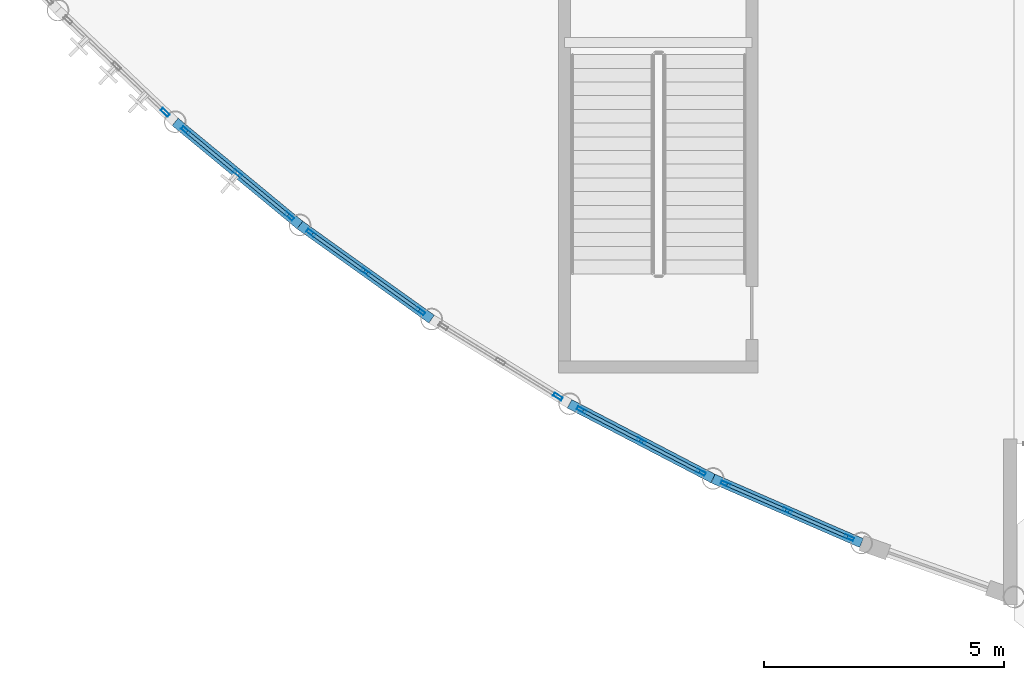
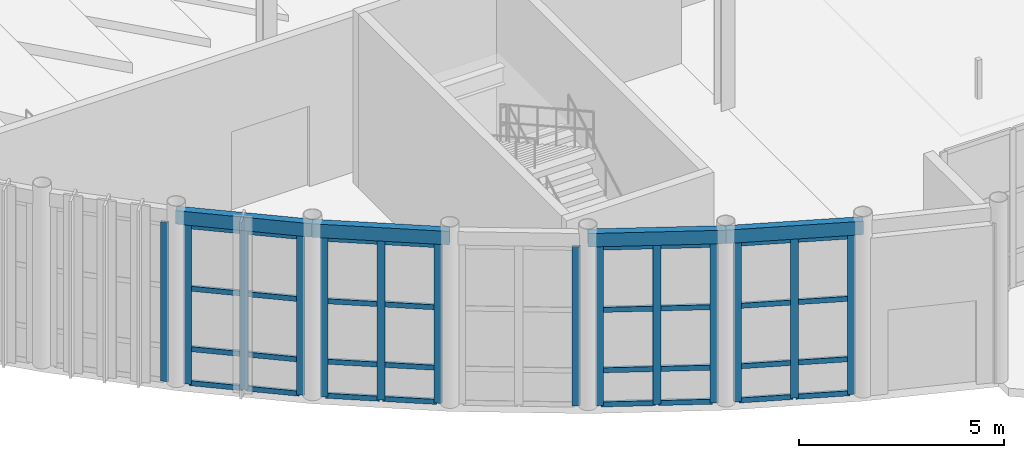
# One storey, part 20 of 87: 46 members, 4 beams, 6 elements without a shape of their own.
"""IFC4 building model written with IfcOpenShell, lengths in metres."""

from ifc_helpers import new_model, si_unit, direction, frame, origin, origin_2d, place, context, subcontext, project, spatial, hollow_rectangle, extrude, material, layer, layer_set, material_profile, profile_set, type_object, element, aggregate, save


model = new_model("IFC4")

# Units and contexts
model_context = context("Model", 3, precision=1e-05, world=origin(), true_north=direction((0.0, 1.0)))
body_context = subcontext(model_context, "Body", "Model", "MODEL_VIEW")
ifc_project = project(units=[si_unit("LENGTHUNIT", "METRE"), si_unit("AREAUNIT", "SQUARE_METRE"), si_unit("VOLUMEUNIT", "CUBIC_METRE"), si_unit("PLANEANGLEUNIT", "RADIAN"), si_unit("MASSUNIT", "GRAM", prefix="KILO")], contexts=[model_context])

# Site, building, storey
site_placement = place(None, origin())
site = spatial("IfcSite", under=ifc_project, at=site_placement, CompositionType="ELEMENT")
building_placement = place(site_placement, origin())
building = spatial("IfcBuilding", under=site, at=building_placement, Name="Selat Folded Stagehouse", CompositionType="ELEMENT")
storey_placement = place(building_placement, origin())
storey = spatial("IfcBuildingStorey", under=building, at=storey_placement, Name="L00", CompositionType="ELEMENT", Elevation=0.0)

# Curtain wall, member
ifc_material_1 = material(Name="Aluminium 6063-T6", Category="aluminium")
ifc_layer = layer(ifc_material_1, 0.219970703125)
ifc_layer_set = layer_set([ifc_layer], Name="Aluminium 6063-T6")
curtain_wall_type = type_object("IfcCurtainWallType", Name="CW-DRM-HIGH", PredefinedType="NOTDEFINED", material=ifc_layer_set)
curtain_wall_1_placement = place(storey_placement, origin())
curtain_wall_1 = element("IfcCurtainWall", 1, at=curtain_wall_1_placement, inside=storey, type_object=curtain_wall_type, Name="L00 curtain wall CW-DRM-L00-13", PredefinedType="NOTDEFINED")
ifc_material_profile_1 = material_profile(ifc_material_1, hollow_rectangle(XDim=0.070068359375, YDim=0.199951171875, WallThickness=0.0048828125, at=origin_2d()), Name="ALU 200x70x5.0")
ifc_profile_set_1 = profile_set([ifc_material_profile_1], Name="Aluminium 6063-T6")
member_type_1 = type_object("IfcMemberType", Name="CWM-MUL-200x70", PredefinedType="MULLION", material=ifc_profile_set_1)
member_1_placement = place(storey_placement, frame((15.9306640625, 12.29736328125, 0.0), z_axis=(0.0, 0.0, 1.0), x_axis=(-0.689661264636, -0.724132128869, 0.0)))
member_1 = element("IfcMember", 2, at=member_1_placement, type_object=member_type_1, Name="CW-01 mullion 1", PredefinedType="MULLION", context=body_context, shape_type="SweptSolid", body=[
    extrude(hollow_rectangle(XDim=0.070068359375, YDim=0.199951171875, WallThickness=0.0048828125, at=origin_2d()), origin(), (0.0, 0.0, 1.0), 4.739990234375),
])
aggregate(curtain_wall_1, [member_1])

# Curtain wall, members
curtain_wall_2_placement = place(storey_placement, origin())
curtain_wall_2 = element("IfcCurtainWall", 3, at=curtain_wall_2_placement, inside=storey, type_object=curtain_wall_type, Name="L00 curtain wall CW-DRM-L00-14", PredefinedType="NOTDEFINED")
member_2_placement = place(storey_placement, frame((18.513916015625, 10.135986328125, 0.0), z_axis=(0.0, 0.0, 1.0), x_axis=(-0.637141737734, -0.770746654899, 0.0)))
member_2 = element("IfcMember", 4, at=member_2_placement, type_object=member_type_1, Name="CW-01 mullion 1", PredefinedType="MULLION", context=body_context, shape_type="SweptSolid", body=[
    extrude(hollow_rectangle(XDim=0.070068359375, YDim=0.199951171875, WallThickness=0.0048828125, at=origin_2d()), origin(), (0.0, 0.0, 1.0), 4.739990234375),
])
member_3_placement = place(storey_placement, frame((17.435302734375, 11.027587890625, 0.0), z_axis=(0.0, 0.0, 1.0), x_axis=(-0.637141737734, -0.770746654899, 0.0)))
member_3 = element("IfcMember", 5, at=member_3_placement, type_object=member_type_1, Name="CW-01 mullion 2", PredefinedType="MULLION", context=body_context, shape_type="SweptSolid", body=[
    extrude(hollow_rectangle(XDim=0.070068359375, YDim=0.199951171875, WallThickness=0.0048828125, at=origin_2d()), origin(), (0.0, 0.0, 1.0), 4.739990234375),
])
member_4_placement = place(storey_placement, frame((16.356689453125, 11.919189453125, 0.0), z_axis=(0.0, 0.0, 1.0), x_axis=(-0.637141737734, -0.770746654899, 0.0)))
member_4 = element("IfcMember", 6, at=member_4_placement, type_object=member_type_1, Name="CW-01 mullion 3", PredefinedType="MULLION", context=body_context, shape_type="SweptSolid", body=[
    extrude(hollow_rectangle(XDim=0.070068359375, YDim=0.199951171875, WallThickness=0.0048828125, at=origin_2d()), origin(), (0.0, 0.0, 1.0), 4.739990234375),
])

curtain_wall_3_placement = place(storey_placement, origin())
curtain_wall_3 = element("IfcCurtainWall", 7, at=curtain_wall_3_placement, inside=storey, type_object=curtain_wall_type, Name="L00 curtain wall CW-DRM-L00-15", PredefinedType="NOTDEFINED")
member_5_placement = place(storey_placement, frame((21.242431640625, 8.160888671875, 0.0), z_axis=(0.0, 0.0, 1.0), x_axis=(-0.581528304836, -0.813526170861, 0.0)))
member_5 = element("IfcMember", 8, at=member_5_placement, type_object=member_type_1, Name="CW-01 mullion 1", PredefinedType="MULLION", context=body_context, shape_type="SweptSolid", body=[
    extrude(hollow_rectangle(XDim=0.070068359375, YDim=0.199951171875, WallThickness=0.0048828125, at=origin_2d()), origin(), (0.0, 0.0, 1.0), 4.739990234375),
])
member_6_placement = place(storey_placement, frame((20.10400390625, 8.974609375, 0.0), z_axis=(0.0, 0.0, 1.0), x_axis=(-0.581528304836, -0.813526170861, 0.0)))
member_6 = element("IfcMember", 9, at=member_6_placement, type_object=member_type_1, Name="CW-01 mullion 2", PredefinedType="MULLION", context=body_context, shape_type="SweptSolid", body=[
    extrude(hollow_rectangle(XDim=0.070068359375, YDim=0.199951171875, WallThickness=0.0048828125, at=origin_2d()), origin(), (0.0, 0.0, 1.0), 4.739990234375),
])
member_7_placement = place(storey_placement, frame((18.965576171875, 9.78857421875, 0.0), z_axis=(0.0, 0.0, 1.0), x_axis=(-0.581528304836, -0.813526170861, 0.0)))
member_7 = element("IfcMember", 10, at=member_7_placement, type_object=member_type_1, Name="CW-01 mullion 3", PredefinedType="MULLION", context=body_context, shape_type="SweptSolid", body=[
    extrude(hollow_rectangle(XDim=0.070068359375, YDim=0.199951171875, WallThickness=0.0048828125, at=origin_2d()), origin(), (0.0, 0.0, 1.0), 4.739990234375),
])

# Curtain wall, member
curtain_wall_4_placement = place(storey_placement, origin())
curtain_wall_4 = element("IfcCurtainWall", 11, at=curtain_wall_4_placement, inside=storey, type_object=curtain_wall_type, Name="L00 curtain wall CW-DRM-L00-16", PredefinedType="NOTDEFINED")
member_8_placement = place(storey_placement, frame((24.102783203125, 6.382080078125, 0.0), z_axis=(0.0, 0.0, 1.0), x_axis=(-0.523025427755, -0.852317078277, 0.0)))
member_8 = element("IfcMember", 12, at=member_8_placement, type_object=member_type_1, Name="CW-01 mullion 1", PredefinedType="MULLION", context=body_context, shape_type="SweptSolid", body=[
    extrude(hollow_rectangle(XDim=0.070068359375, YDim=0.199951171875, WallThickness=0.0048828125, at=origin_2d()), origin(), (0.0, 0.0, 1.0), 4.739990234375),
])
aggregate(curtain_wall_4, [member_8])

# Curtain wall, members
curtain_wall_5_placement = place(storey_placement, origin())
curtain_wall_5 = element("IfcCurtainWall", 13, at=curtain_wall_5_placement, inside=storey, type_object=curtain_wall_type, Name="L00 curtain wall CW-DRM-L00-17", PredefinedType="NOTDEFINED")
member_9_placement = place(storey_placement, frame((27.0810546875, 4.808349609375, 0.0), z_axis=(0.0, 0.0, 1.0), x_axis=(-0.461930991659, -0.886915869147, 0.0)))
member_9 = element("IfcMember", 14, at=member_9_placement, type_object=member_type_1, Name="CW-01 mullion 1", PredefinedType="MULLION", context=body_context, shape_type="SweptSolid", body=[
    extrude(hollow_rectangle(XDim=0.070068359375, YDim=0.199951171875, WallThickness=0.0048828125, at=origin_2d()), origin(), (0.0, 0.0, 1.0), 4.739990234375),
])
member_10_placement = place(storey_placement, frame((25.83984375, 5.454833984375, 0.0), z_axis=(0.0, 0.0, 1.0), x_axis=(-0.461930991659, -0.886915869147, 0.0)))
member_10 = element("IfcMember", 15, at=member_10_placement, type_object=member_type_1, Name="CW-01 mullion 2", PredefinedType="MULLION", context=body_context, shape_type="SweptSolid", body=[
    extrude(hollow_rectangle(XDim=0.070068359375, YDim=0.199951171875, WallThickness=0.0048828125, at=origin_2d()), origin(), (0.0, 0.0, 1.0), 4.739990234375),
])
member_11_placement = place(storey_placement, frame((24.5986328125, 6.101318359375, 0.0), z_axis=(0.0, 0.0, 1.0), x_axis=(-0.461930991659, -0.886915869147, 0.0)))
member_11 = element("IfcMember", 16, at=member_11_placement, type_object=member_type_1, Name="CW-01 mullion 3", PredefinedType="MULLION", context=body_context, shape_type="SweptSolid", body=[
    extrude(hollow_rectangle(XDim=0.070068359375, YDim=0.199951171875, WallThickness=0.0048828125, at=origin_2d()), origin(), (0.0, 0.0, 1.0), 4.739990234375),
])

curtain_wall_6_placement = place(storey_placement, origin())
curtain_wall_6 = element("IfcCurtainWall", 17, at=curtain_wall_6_placement, inside=storey, type_object=curtain_wall_type, Name="L00 curtain wall CW-DRM-L00-18", PredefinedType="NOTDEFINED")
member_12_placement = place(storey_placement, frame((30.162109375, 3.447509765625, 0.0), z_axis=(0.0, 0.0, 1.0), x_axis=(-0.39857953336, -0.917133771915, 0.0)))
member_12 = element("IfcMember", 18, at=member_12_placement, type_object=member_type_1, Name="CW-01 mullion 1", PredefinedType="MULLION", context=body_context, shape_type="SweptSolid", body=[
    extrude(hollow_rectangle(XDim=0.070068359375, YDim=0.199951171875, WallThickness=0.0048828125, at=origin_2d()), origin(), (0.0, 0.0, 1.0), 4.739990234375),
])
member_13_placement = place(storey_placement, frame((28.878662109375, 4.00537109375, 0.0), z_axis=(0.0, 0.0, 1.0), x_axis=(-0.39857953336, -0.917133771915, 0.0)))
member_13 = element("IfcMember", 19, at=member_13_placement, type_object=member_type_1, Name="CW-01 mullion 2", PredefinedType="MULLION", context=body_context, shape_type="SweptSolid", body=[
    extrude(hollow_rectangle(XDim=0.070068359375, YDim=0.199951171875, WallThickness=0.0048828125, at=origin_2d()), origin(), (0.0, 0.0, 1.0), 4.739990234375),
])
member_14_placement = place(storey_placement, frame((27.59521484375, 4.56298828125, 0.0), z_axis=(0.0, 0.0, 1.0), x_axis=(-0.39857953336, -0.917133771915, 0.0)))
member_14 = element("IfcMember", 20, at=member_14_placement, type_object=member_type_1, Name="CW-01 mullion 3", PredefinedType="MULLION", context=body_context, shape_type="SweptSolid", body=[
    extrude(hollow_rectangle(XDim=0.070068359375, YDim=0.199951171875, WallThickness=0.0048828125, at=origin_2d()), origin(), (0.0, 0.0, 1.0), 4.739990234375),
])

# Member
ifc_material_profile_2 = material_profile(ifc_material_1, hollow_rectangle(XDim=0.070068359375, YDim=0.14990234375, WallThickness=0.00390625, at=origin_2d()), Name="ALU 150x70x4.0")
ifc_profile_set_2 = profile_set([ifc_material_profile_2], Name="Aluminium 6063-T6")
member_type_2 = type_object("IfcMemberType", Name="CWM-TRN-150x70", PredefinedType="USERDEFINED", material=ifc_profile_set_2)
member_15_placement = place(storey_placement, frame((18.487060546875, 10.158203125, 0.034912109375), z_axis=(-0.770773574489, 0.637109171862, 0.0), x_axis=(-0.637109171862, -0.770773574489, 0.0)))
member_15 = element("IfcMember", 21, at=member_15_placement, type_object=member_type_2, Name="CW-01 transom 1.1", ObjectType="TRANSOM", PredefinedType="USERDEFINED", context=body_context, shape_type="SweptSolid", body=[
    extrude(hollow_rectangle(XDim=0.070068359375, YDim=0.14990234375, WallThickness=0.00390625, at=origin_2d()), origin(), (0.0, 0.0, 1.0), 1.32958984375),
])

member_16_placement = place(storey_placement, frame((18.487060546875, 10.158203125, 1.050048828125), z_axis=(-0.770773574489, 0.637109171862, 0.0), x_axis=(-0.637109171862, -0.770773574489, 0.0)))
member_16 = element("IfcMember", 22, at=member_16_placement, type_object=member_type_2, Name="CW-01 transom 1.2", ObjectType="TRANSOM", PredefinedType="USERDEFINED", context=body_context, shape_type="SweptSolid", body=[
    extrude(hollow_rectangle(XDim=0.070068359375, YDim=0.14990234375, WallThickness=0.00390625, at=origin_2d()), origin(), (0.0, 0.0, 1.0), 1.32958984375),
])

member_17_placement = place(storey_placement, frame((18.487060546875, 10.158203125, 2.85009765625), z_axis=(-0.770773574489, 0.637109171862, 0.0), x_axis=(-0.637109171862, -0.770773574489, 0.0)))
member_17 = element("IfcMember", 23, at=member_17_placement, type_object=member_type_2, Name="CW-01 transom 1.3", ObjectType="TRANSOM", PredefinedType="USERDEFINED", context=body_context, shape_type="SweptSolid", body=[
    extrude(hollow_rectangle(XDim=0.070068359375, YDim=0.14990234375, WallThickness=0.00390625, at=origin_2d()), origin(), (0.0, 0.0, 1.0), 1.32958984375),
])

member_18_placement = place(storey_placement, frame((18.487060546875, 10.158203125, 4.705078125), z_axis=(-0.770773574489, 0.637109171862, 0.0), x_axis=(-0.637109171862, -0.770773574489, 0.0)))
member_18 = element("IfcMember", 24, at=member_18_placement, type_object=member_type_2, Name="CW-01 transom 1.4", ObjectType="TRANSOM", PredefinedType="USERDEFINED", context=body_context, shape_type="SweptSolid", body=[
    extrude(hollow_rectangle(XDim=0.070068359375, YDim=0.14990234375, WallThickness=0.00390625, at=origin_2d()), origin(), (0.0, 0.0, 1.0), 1.32958984375),
])

member_19_placement = place(storey_placement, frame((17.408203125, 11.0498046875, 0.034912109375), z_axis=(-0.77069903193, 0.637199342578, 0.0), x_axis=(-0.637199342578, -0.77069903193, 0.0)))
member_19 = element("IfcMember", 25, at=member_19_placement, type_object=member_type_2, Name="CW-01 transom 2.1", ObjectType="TRANSOM", PredefinedType="USERDEFINED", context=body_context, shape_type="SweptSolid", body=[
    extrude(hollow_rectangle(XDim=0.070068359375, YDim=0.14990234375, WallThickness=0.00390625, at=origin_2d()), origin(), (0.0, 0.0, 1.0), 1.32958984375),
])

member_20_placement = place(storey_placement, frame((17.408203125, 11.0498046875, 1.050048828125), z_axis=(-0.77069903193, 0.637199342578, 0.0), x_axis=(-0.637199342578, -0.77069903193, 0.0)))
member_20 = element("IfcMember", 26, at=member_20_placement, type_object=member_type_2, Name="CW-01 transom 2.2", ObjectType="TRANSOM", PredefinedType="USERDEFINED", context=body_context, shape_type="SweptSolid", body=[
    extrude(hollow_rectangle(XDim=0.070068359375, YDim=0.14990234375, WallThickness=0.00390625, at=origin_2d()), origin(), (0.0, 0.0, 1.0), 1.32958984375),
])

member_21_placement = place(storey_placement, frame((17.408203125, 11.0498046875, 2.85009765625), z_axis=(-0.77069903193, 0.637199342578, 0.0), x_axis=(-0.637199342578, -0.77069903193, 0.0)))
member_21 = element("IfcMember", 27, at=member_21_placement, type_object=member_type_2, Name="CW-01 transom 2.3", ObjectType="TRANSOM", PredefinedType="USERDEFINED", context=body_context, shape_type="SweptSolid", body=[
    extrude(hollow_rectangle(XDim=0.070068359375, YDim=0.14990234375, WallThickness=0.00390625, at=origin_2d()), origin(), (0.0, 0.0, 1.0), 1.32958984375),
])

member_22_placement = place(storey_placement, frame((17.408203125, 11.0498046875, 4.705078125), z_axis=(-0.77069903193, 0.637199342578, 0.0), x_axis=(-0.637199342578, -0.77069903193, 0.0)))
member_22 = element("IfcMember", 28, at=member_22_placement, type_object=member_type_2, Name="CW-01 transom 2.4", ObjectType="TRANSOM", PredefinedType="USERDEFINED", context=body_context, shape_type="SweptSolid", body=[
    extrude(hollow_rectangle(XDim=0.070068359375, YDim=0.14990234375, WallThickness=0.00390625, at=origin_2d()), origin(), (0.0, 0.0, 1.0), 1.32958984375),
])

aggregate(curtain_wall_2, [member_2, member_3, member_4, member_15, member_16, member_17, member_18, member_19, member_20, member_21, member_22])

member_23_placement = place(storey_placement, frame((21.214111328125, 8.18115234375, 0.034912109375), z_axis=(-0.813497658202, 0.581568190412, 0.0), x_axis=(-0.581568190412, -0.813497658202, 0.0)))
member_23 = element("IfcMember", 29, at=member_23_placement, type_object=member_type_2, Name="CW-01 transom 1.1", ObjectType="TRANSOM", PredefinedType="USERDEFINED", context=body_context, shape_type="SweptSolid", body=[
    extrude(hollow_rectangle(XDim=0.070068359375, YDim=0.14990234375, WallThickness=0.00390625, at=origin_2d()), origin(), (0.0, 0.0, 1.0), 1.32958984375),
])

member_24_placement = place(storey_placement, frame((21.214111328125, 8.18115234375, 1.050048828125), z_axis=(-0.813497658202, 0.581568190412, 0.0), x_axis=(-0.581568190412, -0.813497658202, 0.0)))
member_24 = element("IfcMember", 30, at=member_24_placement, type_object=member_type_2, Name="CW-01 transom 1.2", ObjectType="TRANSOM", PredefinedType="USERDEFINED", context=body_context, shape_type="SweptSolid", body=[
    extrude(hollow_rectangle(XDim=0.070068359375, YDim=0.14990234375, WallThickness=0.00390625, at=origin_2d()), origin(), (0.0, 0.0, 1.0), 1.32958984375),
])

member_25_placement = place(storey_placement, frame((21.214111328125, 8.18115234375, 2.85009765625), z_axis=(-0.813497658202, 0.581568190412, 0.0), x_axis=(-0.581568190412, -0.813497658202, 0.0)))
member_25 = element("IfcMember", 31, at=member_25_placement, type_object=member_type_2, Name="CW-01 transom 1.3", ObjectType="TRANSOM", PredefinedType="USERDEFINED", context=body_context, shape_type="SweptSolid", body=[
    extrude(hollow_rectangle(XDim=0.070068359375, YDim=0.14990234375, WallThickness=0.00390625, at=origin_2d()), origin(), (0.0, 0.0, 1.0), 1.32958984375),
])

member_26_placement = place(storey_placement, frame((21.214111328125, 8.18115234375, 4.705078125), z_axis=(-0.813497658202, 0.581568190412, 0.0), x_axis=(-0.581568190412, -0.813497658202, 0.0)))
member_26 = element("IfcMember", 32, at=member_26_placement, type_object=member_type_2, Name="CW-01 transom 1.4", ObjectType="TRANSOM", PredefinedType="USERDEFINED", context=body_context, shape_type="SweptSolid", body=[
    extrude(hollow_rectangle(XDim=0.070068359375, YDim=0.14990234375, WallThickness=0.00390625, at=origin_2d()), origin(), (0.0, 0.0, 1.0), 1.32958984375),
])

member_27_placement = place(storey_placement, frame((20.075439453125, 8.9951171875, 0.034912109375), z_axis=(-0.813497658202, 0.581568190412, 0.0), x_axis=(-0.581568190412, -0.813497658202, 0.0)))
member_27 = element("IfcMember", 33, at=member_27_placement, type_object=member_type_2, Name="CW-01 transom 2.1", ObjectType="TRANSOM", PredefinedType="USERDEFINED", context=body_context, shape_type="SweptSolid", body=[
    extrude(hollow_rectangle(XDim=0.070068359375, YDim=0.14990234375, WallThickness=0.00390625, at=origin_2d()), origin(), (0.0, 0.0, 1.0), 1.32958984375),
])

member_28_placement = place(storey_placement, frame((20.075439453125, 8.9951171875, 1.050048828125), z_axis=(-0.813497658202, 0.581568190412, 0.0), x_axis=(-0.581568190412, -0.813497658202, 0.0)))
member_28 = element("IfcMember", 34, at=member_28_placement, type_object=member_type_2, Name="CW-01 transom 2.2", ObjectType="TRANSOM", PredefinedType="USERDEFINED", context=body_context, shape_type="SweptSolid", body=[
    extrude(hollow_rectangle(XDim=0.070068359375, YDim=0.14990234375, WallThickness=0.00390625, at=origin_2d()), origin(), (0.0, 0.0, 1.0), 1.32958984375),
])

member_29_placement = place(storey_placement, frame((20.075439453125, 8.9951171875, 2.85009765625), z_axis=(-0.813497658202, 0.581568190412, 0.0), x_axis=(-0.581568190412, -0.813497658202, 0.0)))
member_29 = element("IfcMember", 35, at=member_29_placement, type_object=member_type_2, Name="CW-01 transom 2.3", ObjectType="TRANSOM", PredefinedType="USERDEFINED", context=body_context, shape_type="SweptSolid", body=[
    extrude(hollow_rectangle(XDim=0.070068359375, YDim=0.14990234375, WallThickness=0.00390625, at=origin_2d()), origin(), (0.0, 0.0, 1.0), 1.32958984375),
])

member_30_placement = place(storey_placement, frame((20.075439453125, 8.9951171875, 4.705078125), z_axis=(-0.813497658202, 0.581568190412, 0.0), x_axis=(-0.581568190412, -0.813497658202, 0.0)))
member_30 = element("IfcMember", 36, at=member_30_placement, type_object=member_type_2, Name="CW-01 transom 2.4", ObjectType="TRANSOM", PredefinedType="USERDEFINED", context=body_context, shape_type="SweptSolid", body=[
    extrude(hollow_rectangle(XDim=0.070068359375, YDim=0.14990234375, WallThickness=0.00390625, at=origin_2d()), origin(), (0.0, 0.0, 1.0), 1.32958984375),
])

aggregate(curtain_wall_3, [member_5, member_6, member_7, member_23, member_24, member_25, member_26, member_27, member_28, member_29, member_30])

member_31_placement = place(storey_placement, frame((27.050048828125, 4.824462890625, 0.034912109375), z_axis=(-0.88688587182, 0.461988582505, 0.0), x_axis=(-0.461988582505, -0.88688587182, 0.0)))
member_31 = element("IfcMember", 37, at=member_31_placement, type_object=member_type_2, Name="CW-01 transom 1.1", ObjectType="TRANSOM", PredefinedType="USERDEFINED", context=body_context, shape_type="SweptSolid", body=[
    extrude(hollow_rectangle(XDim=0.070068359375, YDim=0.14990234375, WallThickness=0.00390625, at=origin_2d()), origin(), (0.0, 0.0, 1.0), 1.32958984375),
])

member_32_placement = place(storey_placement, frame((27.050048828125, 4.824462890625, 1.050048828125), z_axis=(-0.88688587182, 0.461988582505, 0.0), x_axis=(-0.461988582505, -0.88688587182, 0.0)))
member_32 = element("IfcMember", 38, at=member_32_placement, type_object=member_type_2, Name="CW-01 transom 1.2", ObjectType="TRANSOM", PredefinedType="USERDEFINED", context=body_context, shape_type="SweptSolid", body=[
    extrude(hollow_rectangle(XDim=0.070068359375, YDim=0.14990234375, WallThickness=0.00390625, at=origin_2d()), origin(), (0.0, 0.0, 1.0), 1.32958984375),
])

member_33_placement = place(storey_placement, frame((27.050048828125, 4.824462890625, 2.85009765625), z_axis=(-0.88688587182, 0.461988582505, 0.0), x_axis=(-0.461988582505, -0.88688587182, 0.0)))
member_33 = element("IfcMember", 39, at=member_33_placement, type_object=member_type_2, Name="CW-01 transom 1.3", ObjectType="TRANSOM", PredefinedType="USERDEFINED", context=body_context, shape_type="SweptSolid", body=[
    extrude(hollow_rectangle(XDim=0.070068359375, YDim=0.14990234375, WallThickness=0.00390625, at=origin_2d()), origin(), (0.0, 0.0, 1.0), 1.32958984375),
])

member_34_placement = place(storey_placement, frame((27.050048828125, 4.824462890625, 4.705078125), z_axis=(-0.88688587182, 0.461988582505, 0.0), x_axis=(-0.461988582505, -0.88688587182, 0.0)))
member_34 = element("IfcMember", 40, at=member_34_placement, type_object=member_type_2, Name="CW-01 transom 1.4", ObjectType="TRANSOM", PredefinedType="USERDEFINED", context=body_context, shape_type="SweptSolid", body=[
    extrude(hollow_rectangle(XDim=0.070068359375, YDim=0.14990234375, WallThickness=0.00390625, at=origin_2d()), origin(), (0.0, 0.0, 1.0), 1.32958984375),
])

member_35_placement = place(storey_placement, frame((25.808837890625, 5.470947265625, 0.034912109375), z_axis=(-0.88688587182, 0.461988582505, 0.0), x_axis=(-0.461988582505, -0.88688587182, 0.0)))
member_35 = element("IfcMember", 41, at=member_35_placement, type_object=member_type_2, Name="CW-01 transom 2.1", ObjectType="TRANSOM", PredefinedType="USERDEFINED", context=body_context, shape_type="SweptSolid", body=[
    extrude(hollow_rectangle(XDim=0.070068359375, YDim=0.14990234375, WallThickness=0.00390625, at=origin_2d()), origin(), (0.0, 0.0, 1.0), 1.32958984375),
])

member_36_placement = place(storey_placement, frame((25.808837890625, 5.470947265625, 1.050048828125), z_axis=(-0.88688587182, 0.461988582505, 0.0), x_axis=(-0.461988582505, -0.88688587182, 0.0)))
member_36 = element("IfcMember", 42, at=member_36_placement, type_object=member_type_2, Name="CW-01 transom 2.2", ObjectType="TRANSOM", PredefinedType="USERDEFINED", context=body_context, shape_type="SweptSolid", body=[
    extrude(hollow_rectangle(XDim=0.070068359375, YDim=0.14990234375, WallThickness=0.00390625, at=origin_2d()), origin(), (0.0, 0.0, 1.0), 1.32958984375),
])

member_37_placement = place(storey_placement, frame((25.808837890625, 5.470947265625, 2.85009765625), z_axis=(-0.88688587182, 0.461988582505, 0.0), x_axis=(-0.461988582505, -0.88688587182, 0.0)))
member_37 = element("IfcMember", 43, at=member_37_placement, type_object=member_type_2, Name="CW-01 transom 2.3", ObjectType="TRANSOM", PredefinedType="USERDEFINED", context=body_context, shape_type="SweptSolid", body=[
    extrude(hollow_rectangle(XDim=0.070068359375, YDim=0.14990234375, WallThickness=0.00390625, at=origin_2d()), origin(), (0.0, 0.0, 1.0), 1.32958984375),
])

member_38_placement = place(storey_placement, frame((25.808837890625, 5.470947265625, 4.705078125), z_axis=(-0.88688587182, 0.461988582505, 0.0), x_axis=(-0.461988582505, -0.88688587182, 0.0)))
member_38 = element("IfcMember", 44, at=member_38_placement, type_object=member_type_2, Name="CW-01 transom 2.4", ObjectType="TRANSOM", PredefinedType="USERDEFINED", context=body_context, shape_type="SweptSolid", body=[
    extrude(hollow_rectangle(XDim=0.070068359375, YDim=0.14990234375, WallThickness=0.00390625, at=origin_2d()), origin(), (0.0, 0.0, 1.0), 1.32958984375),
])

aggregate(curtain_wall_5, [member_9, member_10, member_11, member_31, member_32, member_33, member_34, member_35, member_36, member_37, member_38])

member_39_placement = place(storey_placement, frame((30.130126953125, 3.46142578125, 0.034912109375), z_axis=(-0.917157626449, 0.398524639446, 0.0), x_axis=(-0.398524639446, -0.917157626449, 0.0)))
member_39 = element("IfcMember", 45, at=member_39_placement, type_object=member_type_2, Name="CW-01 transom 1.1", ObjectType="TRANSOM", PredefinedType="USERDEFINED", context=body_context, shape_type="SweptSolid", body=[
    extrude(hollow_rectangle(XDim=0.070068359375, YDim=0.14990234375, WallThickness=0.00390625, at=origin_2d()), origin(), (0.0, 0.0, 1.0), 1.329345703125),
])

member_40_placement = place(storey_placement, frame((30.130126953125, 3.46142578125, 1.050048828125), z_axis=(-0.917157626449, 0.398524639446, 0.0), x_axis=(-0.398524639446, -0.917157626449, 0.0)))
member_40 = element("IfcMember", 46, at=member_40_placement, type_object=member_type_2, Name="CW-01 transom 1.2", ObjectType="TRANSOM", PredefinedType="USERDEFINED", context=body_context, shape_type="SweptSolid", body=[
    extrude(hollow_rectangle(XDim=0.070068359375, YDim=0.14990234375, WallThickness=0.00390625, at=origin_2d()), origin(), (0.0, 0.0, 1.0), 1.329345703125),
])

member_41_placement = place(storey_placement, frame((30.130126953125, 3.46142578125, 2.85009765625), z_axis=(-0.917157626449, 0.398524639446, 0.0), x_axis=(-0.398524639446, -0.917157626449, 0.0)))
member_41 = element("IfcMember", 47, at=member_41_placement, type_object=member_type_2, Name="CW-01 transom 1.3", ObjectType="TRANSOM", PredefinedType="USERDEFINED", context=body_context, shape_type="SweptSolid", body=[
    extrude(hollow_rectangle(XDim=0.070068359375, YDim=0.14990234375, WallThickness=0.00390625, at=origin_2d()), origin(), (0.0, 0.0, 1.0), 1.329345703125),
])

member_42_placement = place(storey_placement, frame((30.130126953125, 3.46142578125, 4.705078125), z_axis=(-0.917157626449, 0.398524639446, 0.0), x_axis=(-0.398524639446, -0.917157626449, 0.0)))
member_42 = element("IfcMember", 48, at=member_42_placement, type_object=member_type_2, Name="CW-01 transom 1.4", ObjectType="TRANSOM", PredefinedType="USERDEFINED", context=body_context, shape_type="SweptSolid", body=[
    extrude(hollow_rectangle(XDim=0.070068359375, YDim=0.14990234375, WallThickness=0.00390625, at=origin_2d()), origin(), (0.0, 0.0, 1.0), 1.329345703125),
])

member_43_placement = place(storey_placement, frame((28.8466796875, 4.019287109375, 0.034912109375), z_axis=(-0.917186787024, 0.398457523092, 0.0), x_axis=(-0.398457523092, -0.917186787024, 0.0)))
member_43 = element("IfcMember", 49, at=member_43_placement, type_object=member_type_2, Name="CW-01 transom 2.1", ObjectType="TRANSOM", PredefinedType="USERDEFINED", context=body_context, shape_type="SweptSolid", body=[
    extrude(hollow_rectangle(XDim=0.070068359375, YDim=0.14990234375, WallThickness=0.00390625, at=origin_2d()), origin(), (0.0, 0.0, 1.0), 1.32958984375),
])

member_44_placement = place(storey_placement, frame((28.8466796875, 4.019287109375, 1.050048828125), z_axis=(-0.917186787024, 0.398457523092, 0.0), x_axis=(-0.398457523092, -0.917186787024, 0.0)))
member_44 = element("IfcMember", 50, at=member_44_placement, type_object=member_type_2, Name="CW-01 transom 2.2", ObjectType="TRANSOM", PredefinedType="USERDEFINED", context=body_context, shape_type="SweptSolid", body=[
    extrude(hollow_rectangle(XDim=0.070068359375, YDim=0.14990234375, WallThickness=0.00390625, at=origin_2d()), origin(), (0.0, 0.0, 1.0), 1.32958984375),
])

member_45_placement = place(storey_placement, frame((28.8466796875, 4.019287109375, 2.85009765625), z_axis=(-0.917186787024, 0.398457523092, 0.0), x_axis=(-0.398457523092, -0.917186787024, 0.0)))
member_45 = element("IfcMember", 51, at=member_45_placement, type_object=member_type_2, Name="CW-01 transom 2.3", ObjectType="TRANSOM", PredefinedType="USERDEFINED", context=body_context, shape_type="SweptSolid", body=[
    extrude(hollow_rectangle(XDim=0.070068359375, YDim=0.14990234375, WallThickness=0.00390625, at=origin_2d()), origin(), (0.0, 0.0, 1.0), 1.32958984375),
])

member_46_placement = place(storey_placement, frame((28.8466796875, 4.019287109375, 4.705078125), z_axis=(-0.917186787024, 0.398457523092, 0.0), x_axis=(-0.398457523092, -0.917186787024, 0.0)))
member_46 = element("IfcMember", 52, at=member_46_placement, type_object=member_type_2, Name="CW-01 transom 2.4", ObjectType="TRANSOM", PredefinedType="USERDEFINED", context=body_context, shape_type="SweptSolid", body=[
    extrude(hollow_rectangle(XDim=0.070068359375, YDim=0.14990234375, WallThickness=0.00390625, at=origin_2d()), origin(), (0.0, 0.0, 1.0), 1.32958984375),
])

aggregate(curtain_wall_6, [member_12, member_13, member_14, member_39, member_40, member_41, member_42, member_43, member_44, member_45, member_46])

# Beams
ifc_material_2 = material(Name="Steel S355", Category="steel")
ifc_material_profile_3 = material_profile(ifc_material_2, hollow_rectangle(XDim=0.199951171875, YDim=0.39990234375, WallThickness=0.012451171875, at=origin_2d()), Name="RHS 400x200x12.5")
ifc_profile_set_3 = profile_set([ifc_material_profile_3], Name="Steel S355")
beam_type = type_object("IfcBeamType", Name="SPD-EXT-400x200", PredefinedType="SPANDREL", material=ifc_profile_set_3)
for number, where, z_axis, x_axis, name in (
    (53, (16.136962890625, 12.100830078125, 4.97998046875), (0.770757502018, -0.637128615809, 0.0), (0.637128615809, 0.770757502018, 0.0), "L00 curved drum spandrel beam 15"),
    (54, (18.733642578125, 9.954345703125, 4.97998046875), (0.813513074284, -0.581546625791, 0.0), (0.581546625791, 0.813513074284, 0.0), "L00 curved drum spandrel beam 16"),
    (55, (24.345703125, 6.23291015625, 4.97998046875), (0.886928310017, -0.461907104179, 0.0), (0.461907104179, 0.886928310017, 0.0), "L00 curved drum spandrel beam 18"),
):
    element("IfcBeam", number, at=place(storey_placement, frame(where, z_axis=z_axis, x_axis=x_axis)), inside=storey, type_object=beam_type, Name=name, PredefinedType="SPANDREL", context=body_context, shape_type="SweptSolid", body=[
        extrude(hollow_rectangle(XDim=0.199951171875, YDim=0.39990234375, WallThickness=0.012451171875, at=origin_2d()), origin(), (0.0, 0.0, 1.0), 3.368896484375),
    ])
beam_placement = place(storey_placement, frame((27.333740234375, 4.6767578125, 4.97998046875), z_axis=(0.91711267728, -0.39862806872, 0.0), x_axis=(0.39862806872, 0.91711267728, 0.0)))
element("IfcBeam", 56, at=beam_placement, inside=storey, type_object=beam_type, Name="L00 curved drum spandrel beam 19", PredefinedType="SPANDREL", context=body_context, shape_type="SweptSolid", body=[
    extrude(hollow_rectangle(XDim=0.199951171875, YDim=0.39990234375, WallThickness=0.012451171875, at=origin_2d()), origin(), (0.0, 0.0, 1.0), 3.369140625),
])

save(model, "model.ifc")
